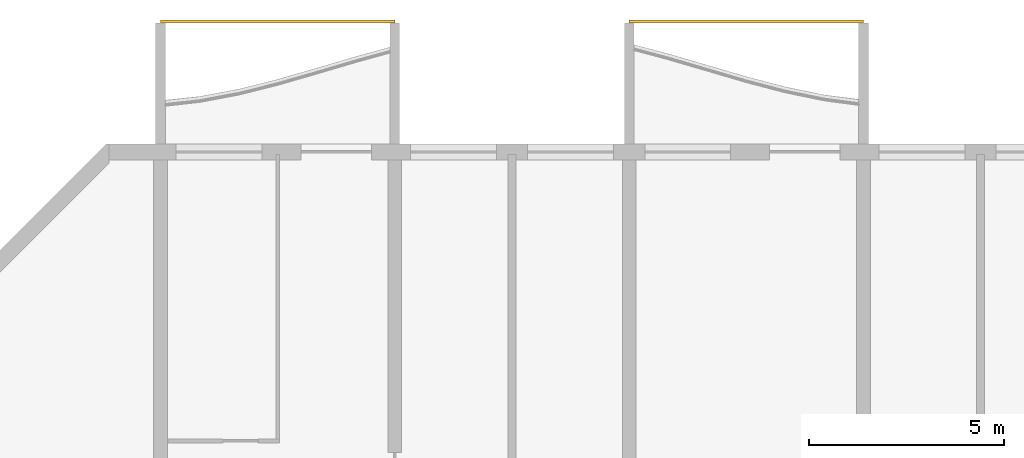
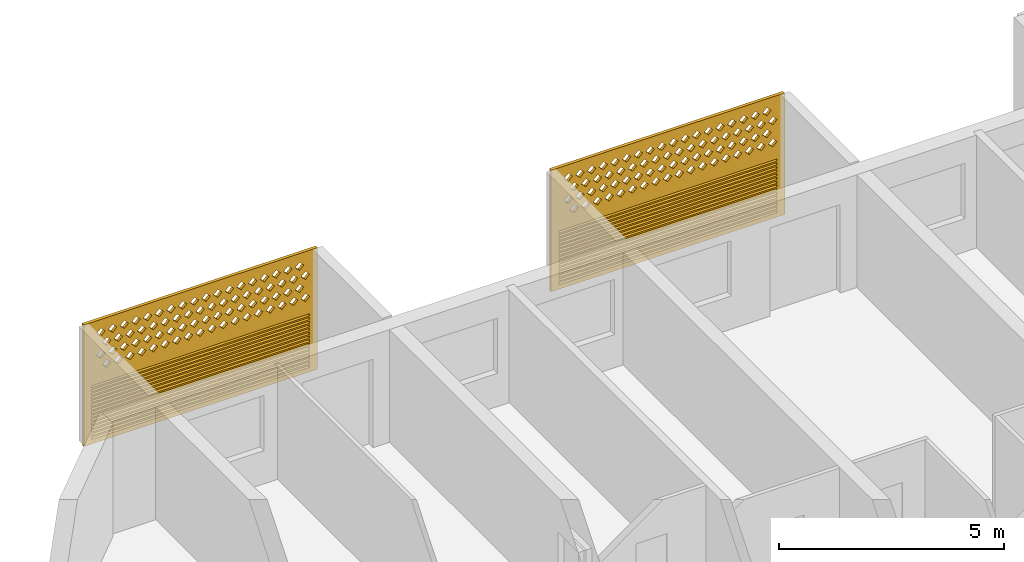
# One storey, part 19 of 27: 2 coverings.
"""IFC4 building model written with IfcOpenShell, lengths in metres."""

from ifc_helpers import new_model, si_unit, direction, frame, origin, place, context, subcontext, project, spatial, polyline, outline, extrude, source, transform, mapped, material, material_profile, profile_set, type_object, element, save


model = new_model("IFC4")

# Units and contexts
model_context = context("Model", 3, precision=1e-05, world=origin(), true_north=direction((0.0, 1.0)))
body_context = subcontext(model_context, "Body", "Model", "MODEL_VIEW")
ifc_project = project(units=[si_unit("LENGTHUNIT", "METRE"), si_unit("AREAUNIT", "SQUARE_METRE"), si_unit("VOLUMEUNIT", "CUBIC_METRE"), si_unit("PLANEANGLEUNIT", "RADIAN"), si_unit("MASSUNIT", "GRAM", prefix="KILO")], contexts=[model_context])

# Site, building, storey
site_placement = place(None, origin())
site = spatial("IfcSite", under=ifc_project, at=site_placement, CompositionType="ELEMENT")
building_placement = place(site_placement, origin())
building = spatial("IfcBuilding", under=site, at=building_placement, Name="Poui Terraces", CompositionType="ELEMENT")
storey_placement = place(building_placement, frame((0.0, 0.0, 92.699951171875)))
storey = spatial("IfcBuildingStorey", under=building, at=storey_placement, Name="L25", CompositionType="ELEMENT", Elevation=92.699951171875)

# Coverings
ifc_material = material(Name="Terracotta screen", Category="masonry")
ifc_material_profile = material_profile(ifc_material, outline(polyline([(-3.0, -1.64990234375), (3.0, -1.64990234375), (3.0, 1.64990234375), (-3.0, 1.64990234375), (-3.0, -1.64990234375)]), holes=[polyline([(-2.800048828125, 0.39990234375), (-2.68994140625, 0.2900390625), (-2.580078125, 0.39990234375), (-2.68994140625, 0.510009765625), (-2.800048828125, 0.39990234375)]), polyline([(-2.5, 0.39990234375), (-2.389892578125, 0.2900390625), (-2.280029296875, 0.39990234375), (-2.389892578125, 0.510009765625), (-2.5, 0.39990234375)]), polyline([(-2.199951171875, 0.39990234375), (-2.090087890625, 0.2900390625), (-1.97998046875, 0.39990234375), (-2.090087890625, 0.510009765625), (-2.199951171875, 0.39990234375)]), polyline([(-1.89990234375, 0.39990234375), (-1.7900390625, 0.2900390625), (-1.679931640625, 0.39990234375), (-1.7900390625, 0.510009765625), (-1.89990234375, 0.39990234375)]), polyline([(-1.60009765625, 0.39990234375), (-1.489990234375, 0.2900390625), (-1.3798828125, 0.39990234375), (-1.489990234375, 0.510009765625), (-1.60009765625, 0.39990234375)]), polyline([(-1.300048828125, 0.39990234375), (-1.18994140625, 0.2900390625), (-1.080078125, 0.39990234375), (-1.18994140625, 0.510009765625), (-1.300048828125, 0.39990234375)]), polyline([(-1.0, 0.39990234375), (-0.889892578125, 0.2900390625), (-0.780029296875, 0.39990234375), (-0.889892578125, 0.510009765625), (-1.0, 0.39990234375)]), polyline([(-0.699951171875, 0.39990234375), (-0.590087890625, 0.2900390625), (-0.47998046875, 0.39990234375), (-0.590087890625, 0.510009765625), (-0.699951171875, 0.39990234375)]), polyline([(-0.39990234375, 0.39990234375), (-0.2900390625, 0.2900390625), (-0.179931640625, 0.39990234375), (-0.2900390625, 0.510009765625), (-0.39990234375, 0.39990234375)]), polyline([(-0.10009765625, 0.39990234375), (0.010009765625, 0.2900390625), (0.1201171875, 0.39990234375), (0.010009765625, 0.510009765625), (-0.10009765625, 0.39990234375)]), polyline([(0.199951171875, 0.39990234375), (0.31005859375, 0.2900390625), (0.419921875, 0.39990234375), (0.31005859375, 0.510009765625), (0.199951171875, 0.39990234375)]), polyline([(0.5, 0.39990234375), (0.610107421875, 0.2900390625), (0.719970703125, 0.39990234375), (0.610107421875, 0.510009765625), (0.5, 0.39990234375)]), polyline([(0.800048828125, 0.39990234375), (0.909912109375, 0.2900390625), (1.02001953125, 0.39990234375), (0.909912109375, 0.510009765625), (0.800048828125, 0.39990234375)]), polyline([(1.10009765625, 0.39990234375), (1.2099609375, 0.2900390625), (1.320068359375, 0.39990234375), (1.2099609375, 0.510009765625), (1.10009765625, 0.39990234375)]), polyline([(1.39990234375, 0.39990234375), (1.510009765625, 0.2900390625), (1.6201171875, 0.39990234375), (1.510009765625, 0.510009765625), (1.39990234375, 0.39990234375)]), polyline([(1.699951171875, 0.39990234375), (1.81005859375, 0.2900390625), (1.919921875, 0.39990234375), (1.81005859375, 0.510009765625), (1.699951171875, 0.39990234375)]), polyline([(2.0, 0.39990234375), (2.110107421875, 0.2900390625), (2.219970703125, 0.39990234375), (2.110107421875, 0.510009765625), (2.0, 0.39990234375)]), polyline([(2.300048828125, 0.39990234375), (2.409912109375, 0.2900390625), (2.52001953125, 0.39990234375), (2.409912109375, 0.510009765625), (2.300048828125, 0.39990234375)]), polyline([(-2.64990234375, 0.699951171875), (-2.5400390625, 0.590087890625), (-2.429931640625, 0.699951171875), (-2.5400390625, 0.81005859375), (-2.64990234375, 0.699951171875)]), polyline([(-2.35009765625, 0.699951171875), (-2.239990234375, 0.590087890625), (-2.1298828125, 0.699951171875), (-2.239990234375, 0.81005859375), (-2.35009765625, 0.699951171875)]), polyline([(-2.050048828125, 0.699951171875), (-1.93994140625, 0.590087890625), (-1.830078125, 0.699951171875), (-1.93994140625, 0.81005859375), (-2.050048828125, 0.699951171875)]), polyline([(-1.75, 0.699951171875), (-1.639892578125, 0.590087890625), (-1.530029296875, 0.699951171875), (-1.639892578125, 0.81005859375), (-1.75, 0.699951171875)]), polyline([(-1.449951171875, 0.699951171875), (-1.340087890625, 0.590087890625), (-1.22998046875, 0.699951171875), (-1.340087890625, 0.81005859375), (-1.449951171875, 0.699951171875)]), polyline([(-1.14990234375, 0.699951171875), (-1.0400390625, 0.590087890625), (-0.929931640625, 0.699951171875), (-1.0400390625, 0.81005859375), (-1.14990234375, 0.699951171875)]), polyline([(-0.85009765625, 0.699951171875), (-0.739990234375, 0.590087890625), (-0.6298828125, 0.699951171875), (-0.739990234375, 0.81005859375), (-0.85009765625, 0.699951171875)]), polyline([(-0.550048828125, 0.699951171875), (-0.43994140625, 0.590087890625), (-0.330078125, 0.699951171875), (-0.43994140625, 0.81005859375), (-0.550048828125, 0.699951171875)]), polyline([(-0.25, 0.699951171875), (-0.139892578125, 0.590087890625), (-0.030029296875, 0.699951171875), (-0.139892578125, 0.81005859375), (-0.25, 0.699951171875)]), polyline([(0.050048828125, 0.699951171875), (0.159912109375, 0.590087890625), (0.27001953125, 0.699951171875), (0.159912109375, 0.81005859375), (0.050048828125, 0.699951171875)]), polyline([(0.35009765625, 0.699951171875), (0.4599609375, 0.590087890625), (0.570068359375, 0.699951171875), (0.4599609375, 0.81005859375), (0.35009765625, 0.699951171875)]), polyline([(0.64990234375, 0.699951171875), (0.760009765625, 0.590087890625), (0.8701171875, 0.699951171875), (0.760009765625, 0.81005859375), (0.64990234375, 0.699951171875)]), polyline([(0.949951171875, 0.699951171875), (1.06005859375, 0.590087890625), (1.169921875, 0.699951171875), (1.06005859375, 0.81005859375), (0.949951171875, 0.699951171875)]), polyline([(1.25, 0.699951171875), (1.360107421875, 0.590087890625), (1.469970703125, 0.699951171875), (1.360107421875, 0.81005859375), (1.25, 0.699951171875)]), polyline([(1.550048828125, 0.699951171875), (1.659912109375, 0.590087890625), (1.77001953125, 0.699951171875), (1.659912109375, 0.81005859375), (1.550048828125, 0.699951171875)]), polyline([(1.85009765625, 0.699951171875), (1.9599609375, 0.590087890625), (2.070068359375, 0.699951171875), (1.9599609375, 0.81005859375), (1.85009765625, 0.699951171875)]), polyline([(2.14990234375, 0.699951171875), (2.260009765625, 0.590087890625), (2.3701171875, 0.699951171875), (2.260009765625, 0.81005859375), (2.14990234375, 0.699951171875)]), polyline([(2.449951171875, 0.699951171875), (2.56005859375, 0.590087890625), (2.669921875, 0.699951171875), (2.56005859375, 0.81005859375), (2.449951171875, 0.699951171875)]), polyline([(-2.800048828125, 1.0), (-2.68994140625, 0.889892578125), (-2.580078125, 1.0), (-2.68994140625, 1.110107421875), (-2.800048828125, 1.0)]), polyline([(-2.5, 1.0), (-2.389892578125, 0.889892578125), (-2.280029296875, 1.0), (-2.389892578125, 1.110107421875), (-2.5, 1.0)]), polyline([(-2.199951171875, 1.0), (-2.090087890625, 0.889892578125), (-1.97998046875, 1.0), (-2.090087890625, 1.110107421875), (-2.199951171875, 1.0)]), polyline([(-1.89990234375, 1.0), (-1.7900390625, 0.889892578125), (-1.679931640625, 1.0), (-1.7900390625, 1.110107421875), (-1.89990234375, 1.0)]), polyline([(-1.60009765625, 1.0), (-1.489990234375, 0.889892578125), (-1.3798828125, 1.0), (-1.489990234375, 1.110107421875), (-1.60009765625, 1.0)]), polyline([(-1.300048828125, 1.0), (-1.18994140625, 0.889892578125), (-1.080078125, 1.0), (-1.18994140625, 1.110107421875), (-1.300048828125, 1.0)]), polyline([(-1.0, 1.0), (-0.889892578125, 0.889892578125), (-0.780029296875, 1.0), (-0.889892578125, 1.110107421875), (-1.0, 1.0)]), polyline([(-0.699951171875, 1.0), (-0.590087890625, 0.889892578125), (-0.47998046875, 1.0), (-0.590087890625, 1.110107421875), (-0.699951171875, 1.0)]), polyline([(-0.39990234375, 1.0), (-0.2900390625, 0.889892578125), (-0.179931640625, 1.0), (-0.2900390625, 1.110107421875), (-0.39990234375, 1.0)]), polyline([(-0.10009765625, 1.0), (0.010009765625, 0.889892578125), (0.1201171875, 1.0), (0.010009765625, 1.110107421875), (-0.10009765625, 1.0)]), polyline([(0.199951171875, 1.0), (0.31005859375, 0.889892578125), (0.419921875, 1.0), (0.31005859375, 1.110107421875), (0.199951171875, 1.0)]), polyline([(0.5, 1.0), (0.610107421875, 0.889892578125), (0.719970703125, 1.0), (0.610107421875, 1.110107421875), (0.5, 1.0)]), polyline([(0.800048828125, 1.0), (0.909912109375, 0.889892578125), (1.02001953125, 1.0), (0.909912109375, 1.110107421875), (0.800048828125, 1.0)]), polyline([(1.10009765625, 1.0), (1.2099609375, 0.889892578125), (1.320068359375, 1.0), (1.2099609375, 1.110107421875), (1.10009765625, 1.0)]), polyline([(1.39990234375, 1.0), (1.510009765625, 0.889892578125), (1.6201171875, 1.0), (1.510009765625, 1.110107421875), (1.39990234375, 1.0)]), polyline([(1.699951171875, 1.0), (1.81005859375, 0.889892578125), (1.919921875, 1.0), (1.81005859375, 1.110107421875), (1.699951171875, 1.0)]), polyline([(2.0, 1.0), (2.110107421875, 0.889892578125), (2.219970703125, 1.0), (2.110107421875, 1.110107421875), (2.0, 1.0)]), polyline([(2.300048828125, 1.0), (2.409912109375, 0.889892578125), (2.52001953125, 1.0), (2.409912109375, 1.110107421875), (2.300048828125, 1.0)]), polyline([(-2.64990234375, 1.300048828125), (-2.5400390625, 1.18994140625), (-2.429931640625, 1.300048828125), (-2.5400390625, 1.409912109375), (-2.64990234375, 1.300048828125)]), polyline([(-2.35009765625, 1.300048828125), (-2.239990234375, 1.18994140625), (-2.1298828125, 1.300048828125), (-2.239990234375, 1.409912109375), (-2.35009765625, 1.300048828125)]), polyline([(-2.050048828125, 1.300048828125), (-1.93994140625, 1.18994140625), (-1.830078125, 1.300048828125), (-1.93994140625, 1.409912109375), (-2.050048828125, 1.300048828125)]), polyline([(-1.75, 1.300048828125), (-1.639892578125, 1.18994140625), (-1.530029296875, 1.300048828125), (-1.639892578125, 1.409912109375), (-1.75, 1.300048828125)]), polyline([(-1.449951171875, 1.300048828125), (-1.340087890625, 1.18994140625), (-1.22998046875, 1.300048828125), (-1.340087890625, 1.409912109375), (-1.449951171875, 1.300048828125)]), polyline([(-1.14990234375, 1.300048828125), (-1.0400390625, 1.18994140625), (-0.929931640625, 1.300048828125), (-1.0400390625, 1.409912109375), (-1.14990234375, 1.300048828125)]), polyline([(-0.85009765625, 1.300048828125), (-0.739990234375, 1.18994140625), (-0.6298828125, 1.300048828125), (-0.739990234375, 1.409912109375), (-0.85009765625, 1.300048828125)]), polyline([(-0.550048828125, 1.300048828125), (-0.43994140625, 1.18994140625), (-0.330078125, 1.300048828125), (-0.43994140625, 1.409912109375), (-0.550048828125, 1.300048828125)]), polyline([(-0.25, 1.300048828125), (-0.139892578125, 1.18994140625), (-0.030029296875, 1.300048828125), (-0.139892578125, 1.409912109375), (-0.25, 1.300048828125)]), polyline([(0.050048828125, 1.300048828125), (0.159912109375, 1.18994140625), (0.27001953125, 1.300048828125), (0.159912109375, 1.409912109375), (0.050048828125, 1.300048828125)]), polyline([(0.35009765625, 1.300048828125), (0.4599609375, 1.18994140625), (0.570068359375, 1.300048828125), (0.4599609375, 1.409912109375), (0.35009765625, 1.300048828125)]), polyline([(0.64990234375, 1.300048828125), (0.760009765625, 1.18994140625), (0.8701171875, 1.300048828125), (0.760009765625, 1.409912109375), (0.64990234375, 1.300048828125)]), polyline([(0.949951171875, 1.300048828125), (1.06005859375, 1.18994140625), (1.169921875, 1.300048828125), (1.06005859375, 1.409912109375), (0.949951171875, 1.300048828125)]), polyline([(1.25, 1.300048828125), (1.360107421875, 1.18994140625), (1.469970703125, 1.300048828125), (1.360107421875, 1.409912109375), (1.25, 1.300048828125)]), polyline([(1.550048828125, 1.300048828125), (1.659912109375, 1.18994140625), (1.77001953125, 1.300048828125), (1.659912109375, 1.409912109375), (1.550048828125, 1.300048828125)]), polyline([(1.85009765625, 1.300048828125), (1.9599609375, 1.18994140625), (2.070068359375, 1.300048828125), (1.9599609375, 1.409912109375), (1.85009765625, 1.300048828125)]), polyline([(2.14990234375, 1.300048828125), (2.260009765625, 1.18994140625), (2.3701171875, 1.300048828125), (2.260009765625, 1.409912109375), (2.14990234375, 1.300048828125)]), polyline([(2.449951171875, 1.300048828125), (2.56005859375, 1.18994140625), (2.669921875, 1.300048828125), (2.56005859375, 1.409912109375), (2.449951171875, 1.300048828125)]), polyline([(-2.800048828125, -1.530029296875), (2.800048828125, -1.530029296875), (2.800048828125, -1.469970703125), (-2.800048828125, -1.469970703125), (-2.800048828125, -1.530029296875)]), polyline([(-2.800048828125, -1.429931640625), (2.800048828125, -1.429931640625), (2.800048828125, -1.3701171875), (-2.800048828125, -1.3701171875), (-2.800048828125, -1.429931640625)]), polyline([(-2.800048828125, -1.330078125), (2.800048828125, -1.330078125), (2.800048828125, -1.27001953125), (-2.800048828125, -1.27001953125), (-2.800048828125, -1.330078125)]), polyline([(-2.800048828125, -1.22998046875), (2.800048828125, -1.22998046875), (2.800048828125, -1.169921875), (-2.800048828125, -1.169921875), (-2.800048828125, -1.22998046875)]), polyline([(-2.800048828125, -1.1298828125), (2.800048828125, -1.1298828125), (2.800048828125, -1.070068359375), (-2.800048828125, -1.070068359375), (-2.800048828125, -1.1298828125)]), polyline([(-2.800048828125, -1.030029296875), (2.800048828125, -1.030029296875), (2.800048828125, -0.969970703125), (-2.800048828125, -0.969970703125), (-2.800048828125, -1.030029296875)]), polyline([(-2.800048828125, -0.929931640625), (2.800048828125, -0.929931640625), (2.800048828125, -0.8701171875), (-2.800048828125, -0.8701171875), (-2.800048828125, -0.929931640625)]), polyline([(-2.800048828125, -0.830078125), (2.800048828125, -0.830078125), (2.800048828125, -0.77001953125), (-2.800048828125, -0.77001953125), (-2.800048828125, -0.830078125)]), polyline([(-2.800048828125, -0.72998046875), (2.800048828125, -0.72998046875), (2.800048828125, -0.669921875), (-2.800048828125, -0.669921875), (-2.800048828125, -0.72998046875)]), polyline([(-2.800048828125, -0.6298828125), (2.800048828125, -0.6298828125), (2.800048828125, -0.570068359375), (-2.800048828125, -0.570068359375), (-2.800048828125, -0.6298828125)]), polyline([(-2.800048828125, -0.530029296875), (2.800048828125, -0.530029296875), (2.800048828125, -0.469970703125), (-2.800048828125, -0.469970703125), (-2.800048828125, -0.530029296875)]), polyline([(-2.800048828125, -0.429931640625), (2.800048828125, -0.429931640625), (2.800048828125, -0.3701171875), (-2.800048828125, -0.3701171875), (-2.800048828125, -0.429931640625)]), polyline([(-2.800048828125, -0.330078125), (2.800048828125, -0.330078125), (2.800048828125, -0.27001953125), (-2.800048828125, -0.27001953125), (-2.800048828125, -0.330078125)]), polyline([(-2.800048828125, -0.22998046875), (2.800048828125, -0.22998046875), (2.800048828125, -0.169921875), (-2.800048828125, -0.169921875), (-2.800048828125, -0.22998046875)]), polyline([(-2.800048828125, -0.1298828125), (2.800048828125, -0.1298828125), (2.800048828125, -0.070068359375), (-2.800048828125, -0.070068359375), (-2.800048828125, -0.1298828125)])]), Name="TERRACOTTA SCREEN AND JALOUSIE LOUVRE 6000X3300")
ifc_profile_set = profile_set([ifc_material_profile], Name="Terracotta screen")
covering_type = type_object("IfcCoveringType", Name="TERRACOTTA SCREEN AND JALOUSIE LOUVRE 6000X3300", PredefinedType="CLADDING", material=ifc_profile_set)
shared_shape = source(origin(), body_context, "Body", "SweptSolid", [
    extrude(outline(polyline([(-3.0, -1.64990234375), (3.0, -1.64990234375), (3.0, 1.64990234375), (-3.0, 1.64990234375), (-3.0, -1.64990234375)]), holes=[polyline([(-2.800048828125, 0.39990234375), (-2.68994140625, 0.2900390625), (-2.580078125, 0.39990234375), (-2.68994140625, 0.510009765625), (-2.800048828125, 0.39990234375)]), polyline([(-2.5, 0.39990234375), (-2.389892578125, 0.2900390625), (-2.280029296875, 0.39990234375), (-2.389892578125, 0.510009765625), (-2.5, 0.39990234375)]), polyline([(-2.199951171875, 0.39990234375), (-2.090087890625, 0.2900390625), (-1.97998046875, 0.39990234375), (-2.090087890625, 0.510009765625), (-2.199951171875, 0.39990234375)]), polyline([(-1.89990234375, 0.39990234375), (-1.7900390625, 0.2900390625), (-1.679931640625, 0.39990234375), (-1.7900390625, 0.510009765625), (-1.89990234375, 0.39990234375)]), polyline([(-1.60009765625, 0.39990234375), (-1.489990234375, 0.2900390625), (-1.3798828125, 0.39990234375), (-1.489990234375, 0.510009765625), (-1.60009765625, 0.39990234375)]), polyline([(-1.300048828125, 0.39990234375), (-1.18994140625, 0.2900390625), (-1.080078125, 0.39990234375), (-1.18994140625, 0.510009765625), (-1.300048828125, 0.39990234375)]), polyline([(-1.0, 0.39990234375), (-0.889892578125, 0.2900390625), (-0.780029296875, 0.39990234375), (-0.889892578125, 0.510009765625), (-1.0, 0.39990234375)]), polyline([(-0.699951171875, 0.39990234375), (-0.590087890625, 0.2900390625), (-0.47998046875, 0.39990234375), (-0.590087890625, 0.510009765625), (-0.699951171875, 0.39990234375)]), polyline([(-0.39990234375, 0.39990234375), (-0.2900390625, 0.2900390625), (-0.179931640625, 0.39990234375), (-0.2900390625, 0.510009765625), (-0.39990234375, 0.39990234375)]), polyline([(-0.10009765625, 0.39990234375), (0.010009765625, 0.2900390625), (0.1201171875, 0.39990234375), (0.010009765625, 0.510009765625), (-0.10009765625, 0.39990234375)]), polyline([(0.199951171875, 0.39990234375), (0.31005859375, 0.2900390625), (0.419921875, 0.39990234375), (0.31005859375, 0.510009765625), (0.199951171875, 0.39990234375)]), polyline([(0.5, 0.39990234375), (0.610107421875, 0.2900390625), (0.719970703125, 0.39990234375), (0.610107421875, 0.510009765625), (0.5, 0.39990234375)]), polyline([(0.800048828125, 0.39990234375), (0.909912109375, 0.2900390625), (1.02001953125, 0.39990234375), (0.909912109375, 0.510009765625), (0.800048828125, 0.39990234375)]), polyline([(1.10009765625, 0.39990234375), (1.2099609375, 0.2900390625), (1.320068359375, 0.39990234375), (1.2099609375, 0.510009765625), (1.10009765625, 0.39990234375)]), polyline([(1.39990234375, 0.39990234375), (1.510009765625, 0.2900390625), (1.6201171875, 0.39990234375), (1.510009765625, 0.510009765625), (1.39990234375, 0.39990234375)]), polyline([(1.699951171875, 0.39990234375), (1.81005859375, 0.2900390625), (1.919921875, 0.39990234375), (1.81005859375, 0.510009765625), (1.699951171875, 0.39990234375)]), polyline([(2.0, 0.39990234375), (2.110107421875, 0.2900390625), (2.219970703125, 0.39990234375), (2.110107421875, 0.510009765625), (2.0, 0.39990234375)]), polyline([(2.300048828125, 0.39990234375), (2.409912109375, 0.2900390625), (2.52001953125, 0.39990234375), (2.409912109375, 0.510009765625), (2.300048828125, 0.39990234375)]), polyline([(-2.64990234375, 0.699951171875), (-2.5400390625, 0.590087890625), (-2.429931640625, 0.699951171875), (-2.5400390625, 0.81005859375), (-2.64990234375, 0.699951171875)]), polyline([(-2.35009765625, 0.699951171875), (-2.239990234375, 0.590087890625), (-2.1298828125, 0.699951171875), (-2.239990234375, 0.81005859375), (-2.35009765625, 0.699951171875)]), polyline([(-2.050048828125, 0.699951171875), (-1.93994140625, 0.590087890625), (-1.830078125, 0.699951171875), (-1.93994140625, 0.81005859375), (-2.050048828125, 0.699951171875)]), polyline([(-1.75, 0.699951171875), (-1.639892578125, 0.590087890625), (-1.530029296875, 0.699951171875), (-1.639892578125, 0.81005859375), (-1.75, 0.699951171875)]), polyline([(-1.449951171875, 0.699951171875), (-1.340087890625, 0.590087890625), (-1.22998046875, 0.699951171875), (-1.340087890625, 0.81005859375), (-1.449951171875, 0.699951171875)]), polyline([(-1.14990234375, 0.699951171875), (-1.0400390625, 0.590087890625), (-0.929931640625, 0.699951171875), (-1.0400390625, 0.81005859375), (-1.14990234375, 0.699951171875)]), polyline([(-0.85009765625, 0.699951171875), (-0.739990234375, 0.590087890625), (-0.6298828125, 0.699951171875), (-0.739990234375, 0.81005859375), (-0.85009765625, 0.699951171875)]), polyline([(-0.550048828125, 0.699951171875), (-0.43994140625, 0.590087890625), (-0.330078125, 0.699951171875), (-0.43994140625, 0.81005859375), (-0.550048828125, 0.699951171875)]), polyline([(-0.25, 0.699951171875), (-0.139892578125, 0.590087890625), (-0.030029296875, 0.699951171875), (-0.139892578125, 0.81005859375), (-0.25, 0.699951171875)]), polyline([(0.050048828125, 0.699951171875), (0.159912109375, 0.590087890625), (0.27001953125, 0.699951171875), (0.159912109375, 0.81005859375), (0.050048828125, 0.699951171875)]), polyline([(0.35009765625, 0.699951171875), (0.4599609375, 0.590087890625), (0.570068359375, 0.699951171875), (0.4599609375, 0.81005859375), (0.35009765625, 0.699951171875)]), polyline([(0.64990234375, 0.699951171875), (0.760009765625, 0.590087890625), (0.8701171875, 0.699951171875), (0.760009765625, 0.81005859375), (0.64990234375, 0.699951171875)]), polyline([(0.949951171875, 0.699951171875), (1.06005859375, 0.590087890625), (1.169921875, 0.699951171875), (1.06005859375, 0.81005859375), (0.949951171875, 0.699951171875)]), polyline([(1.25, 0.699951171875), (1.360107421875, 0.590087890625), (1.469970703125, 0.699951171875), (1.360107421875, 0.81005859375), (1.25, 0.699951171875)]), polyline([(1.550048828125, 0.699951171875), (1.659912109375, 0.590087890625), (1.77001953125, 0.699951171875), (1.659912109375, 0.81005859375), (1.550048828125, 0.699951171875)]), polyline([(1.85009765625, 0.699951171875), (1.9599609375, 0.590087890625), (2.070068359375, 0.699951171875), (1.9599609375, 0.81005859375), (1.85009765625, 0.699951171875)]), polyline([(2.14990234375, 0.699951171875), (2.260009765625, 0.590087890625), (2.3701171875, 0.699951171875), (2.260009765625, 0.81005859375), (2.14990234375, 0.699951171875)]), polyline([(2.449951171875, 0.699951171875), (2.56005859375, 0.590087890625), (2.669921875, 0.699951171875), (2.56005859375, 0.81005859375), (2.449951171875, 0.699951171875)]), polyline([(-2.800048828125, 1.0), (-2.68994140625, 0.889892578125), (-2.580078125, 1.0), (-2.68994140625, 1.110107421875), (-2.800048828125, 1.0)]), polyline([(-2.5, 1.0), (-2.389892578125, 0.889892578125), (-2.280029296875, 1.0), (-2.389892578125, 1.110107421875), (-2.5, 1.0)]), polyline([(-2.199951171875, 1.0), (-2.090087890625, 0.889892578125), (-1.97998046875, 1.0), (-2.090087890625, 1.110107421875), (-2.199951171875, 1.0)]), polyline([(-1.89990234375, 1.0), (-1.7900390625, 0.889892578125), (-1.679931640625, 1.0), (-1.7900390625, 1.110107421875), (-1.89990234375, 1.0)]), polyline([(-1.60009765625, 1.0), (-1.489990234375, 0.889892578125), (-1.3798828125, 1.0), (-1.489990234375, 1.110107421875), (-1.60009765625, 1.0)]), polyline([(-1.300048828125, 1.0), (-1.18994140625, 0.889892578125), (-1.080078125, 1.0), (-1.18994140625, 1.110107421875), (-1.300048828125, 1.0)]), polyline([(-1.0, 1.0), (-0.889892578125, 0.889892578125), (-0.780029296875, 1.0), (-0.889892578125, 1.110107421875), (-1.0, 1.0)]), polyline([(-0.699951171875, 1.0), (-0.590087890625, 0.889892578125), (-0.47998046875, 1.0), (-0.590087890625, 1.110107421875), (-0.699951171875, 1.0)]), polyline([(-0.39990234375, 1.0), (-0.2900390625, 0.889892578125), (-0.179931640625, 1.0), (-0.2900390625, 1.110107421875), (-0.39990234375, 1.0)]), polyline([(-0.10009765625, 1.0), (0.010009765625, 0.889892578125), (0.1201171875, 1.0), (0.010009765625, 1.110107421875), (-0.10009765625, 1.0)]), polyline([(0.199951171875, 1.0), (0.31005859375, 0.889892578125), (0.419921875, 1.0), (0.31005859375, 1.110107421875), (0.199951171875, 1.0)]), polyline([(0.5, 1.0), (0.610107421875, 0.889892578125), (0.719970703125, 1.0), (0.610107421875, 1.110107421875), (0.5, 1.0)]), polyline([(0.800048828125, 1.0), (0.909912109375, 0.889892578125), (1.02001953125, 1.0), (0.909912109375, 1.110107421875), (0.800048828125, 1.0)]), polyline([(1.10009765625, 1.0), (1.2099609375, 0.889892578125), (1.320068359375, 1.0), (1.2099609375, 1.110107421875), (1.10009765625, 1.0)]), polyline([(1.39990234375, 1.0), (1.510009765625, 0.889892578125), (1.6201171875, 1.0), (1.510009765625, 1.110107421875), (1.39990234375, 1.0)]), polyline([(1.699951171875, 1.0), (1.81005859375, 0.889892578125), (1.919921875, 1.0), (1.81005859375, 1.110107421875), (1.699951171875, 1.0)]), polyline([(2.0, 1.0), (2.110107421875, 0.889892578125), (2.219970703125, 1.0), (2.110107421875, 1.110107421875), (2.0, 1.0)]), polyline([(2.300048828125, 1.0), (2.409912109375, 0.889892578125), (2.52001953125, 1.0), (2.409912109375, 1.110107421875), (2.300048828125, 1.0)]), polyline([(-2.64990234375, 1.300048828125), (-2.5400390625, 1.18994140625), (-2.429931640625, 1.300048828125), (-2.5400390625, 1.409912109375), (-2.64990234375, 1.300048828125)]), polyline([(-2.35009765625, 1.300048828125), (-2.239990234375, 1.18994140625), (-2.1298828125, 1.300048828125), (-2.239990234375, 1.409912109375), (-2.35009765625, 1.300048828125)]), polyline([(-2.050048828125, 1.300048828125), (-1.93994140625, 1.18994140625), (-1.830078125, 1.300048828125), (-1.93994140625, 1.409912109375), (-2.050048828125, 1.300048828125)]), polyline([(-1.75, 1.300048828125), (-1.639892578125, 1.18994140625), (-1.530029296875, 1.300048828125), (-1.639892578125, 1.409912109375), (-1.75, 1.300048828125)]), polyline([(-1.449951171875, 1.300048828125), (-1.340087890625, 1.18994140625), (-1.22998046875, 1.300048828125), (-1.340087890625, 1.409912109375), (-1.449951171875, 1.300048828125)]), polyline([(-1.14990234375, 1.300048828125), (-1.0400390625, 1.18994140625), (-0.929931640625, 1.300048828125), (-1.0400390625, 1.409912109375), (-1.14990234375, 1.300048828125)]), polyline([(-0.85009765625, 1.300048828125), (-0.739990234375, 1.18994140625), (-0.6298828125, 1.300048828125), (-0.739990234375, 1.409912109375), (-0.85009765625, 1.300048828125)]), polyline([(-0.550048828125, 1.300048828125), (-0.43994140625, 1.18994140625), (-0.330078125, 1.300048828125), (-0.43994140625, 1.409912109375), (-0.550048828125, 1.300048828125)]), polyline([(-0.25, 1.300048828125), (-0.139892578125, 1.18994140625), (-0.030029296875, 1.300048828125), (-0.139892578125, 1.409912109375), (-0.25, 1.300048828125)]), polyline([(0.050048828125, 1.300048828125), (0.159912109375, 1.18994140625), (0.27001953125, 1.300048828125), (0.159912109375, 1.409912109375), (0.050048828125, 1.300048828125)]), polyline([(0.35009765625, 1.300048828125), (0.4599609375, 1.18994140625), (0.570068359375, 1.300048828125), (0.4599609375, 1.409912109375), (0.35009765625, 1.300048828125)]), polyline([(0.64990234375, 1.300048828125), (0.760009765625, 1.18994140625), (0.8701171875, 1.300048828125), (0.760009765625, 1.409912109375), (0.64990234375, 1.300048828125)]), polyline([(0.949951171875, 1.300048828125), (1.06005859375, 1.18994140625), (1.169921875, 1.300048828125), (1.06005859375, 1.409912109375), (0.949951171875, 1.300048828125)]), polyline([(1.25, 1.300048828125), (1.360107421875, 1.18994140625), (1.469970703125, 1.300048828125), (1.360107421875, 1.409912109375), (1.25, 1.300048828125)]), polyline([(1.550048828125, 1.300048828125), (1.659912109375, 1.18994140625), (1.77001953125, 1.300048828125), (1.659912109375, 1.409912109375), (1.550048828125, 1.300048828125)]), polyline([(1.85009765625, 1.300048828125), (1.9599609375, 1.18994140625), (2.070068359375, 1.300048828125), (1.9599609375, 1.409912109375), (1.85009765625, 1.300048828125)]), polyline([(2.14990234375, 1.300048828125), (2.260009765625, 1.18994140625), (2.3701171875, 1.300048828125), (2.260009765625, 1.409912109375), (2.14990234375, 1.300048828125)]), polyline([(2.449951171875, 1.300048828125), (2.56005859375, 1.18994140625), (2.669921875, 1.300048828125), (2.56005859375, 1.409912109375), (2.449951171875, 1.300048828125)]), polyline([(-2.800048828125, -1.530029296875), (2.800048828125, -1.530029296875), (2.800048828125, -1.469970703125), (-2.800048828125, -1.469970703125), (-2.800048828125, -1.530029296875)]), polyline([(-2.800048828125, -1.429931640625), (2.800048828125, -1.429931640625), (2.800048828125, -1.3701171875), (-2.800048828125, -1.3701171875), (-2.800048828125, -1.429931640625)]), polyline([(-2.800048828125, -1.330078125), (2.800048828125, -1.330078125), (2.800048828125, -1.27001953125), (-2.800048828125, -1.27001953125), (-2.800048828125, -1.330078125)]), polyline([(-2.800048828125, -1.22998046875), (2.800048828125, -1.22998046875), (2.800048828125, -1.169921875), (-2.800048828125, -1.169921875), (-2.800048828125, -1.22998046875)]), polyline([(-2.800048828125, -1.1298828125), (2.800048828125, -1.1298828125), (2.800048828125, -1.070068359375), (-2.800048828125, -1.070068359375), (-2.800048828125, -1.1298828125)]), polyline([(-2.800048828125, -1.030029296875), (2.800048828125, -1.030029296875), (2.800048828125, -0.969970703125), (-2.800048828125, -0.969970703125), (-2.800048828125, -1.030029296875)]), polyline([(-2.800048828125, -0.929931640625), (2.800048828125, -0.929931640625), (2.800048828125, -0.8701171875), (-2.800048828125, -0.8701171875), (-2.800048828125, -0.929931640625)]), polyline([(-2.800048828125, -0.830078125), (2.800048828125, -0.830078125), (2.800048828125, -0.77001953125), (-2.800048828125, -0.77001953125), (-2.800048828125, -0.830078125)]), polyline([(-2.800048828125, -0.72998046875), (2.800048828125, -0.72998046875), (2.800048828125, -0.669921875), (-2.800048828125, -0.669921875), (-2.800048828125, -0.72998046875)]), polyline([(-2.800048828125, -0.6298828125), (2.800048828125, -0.6298828125), (2.800048828125, -0.570068359375), (-2.800048828125, -0.570068359375), (-2.800048828125, -0.6298828125)]), polyline([(-2.800048828125, -0.530029296875), (2.800048828125, -0.530029296875), (2.800048828125, -0.469970703125), (-2.800048828125, -0.469970703125), (-2.800048828125, -0.530029296875)]), polyline([(-2.800048828125, -0.429931640625), (2.800048828125, -0.429931640625), (2.800048828125, -0.3701171875), (-2.800048828125, -0.3701171875), (-2.800048828125, -0.429931640625)]), polyline([(-2.800048828125, -0.330078125), (2.800048828125, -0.330078125), (2.800048828125, -0.27001953125), (-2.800048828125, -0.27001953125), (-2.800048828125, -0.330078125)]), polyline([(-2.800048828125, -0.22998046875), (2.800048828125, -0.22998046875), (2.800048828125, -0.169921875), (-2.800048828125, -0.169921875), (-2.800048828125, -0.22998046875)]), polyline([(-2.800048828125, -0.1298828125), (2.800048828125, -0.1298828125), (2.800048828125, -0.070068359375), (-2.800048828125, -0.070068359375), (-2.800048828125, -0.1298828125)])]), origin(), (0.0, 0.0, 1.0), 0.080078125),
])
for number, where, z_axis, x_axis, name in (
    (1, (15.0, 46.89990234375, 1.449951171875), (0.0, 1.0, 0.0), (-1.0, 0.0, 0.0), "SOLAR SCREEN AND JALOUSIE LOUVRE"),
    (2, (27.0, 46.89990234375, 1.449951171875), (0.0, 1.0, 0.0), (-1.0, 0.0, 0.0), "SOLAR SCREEN AND JALOUSIE LOUVRE"),
):
    element("IfcCovering", number, at=place(storey_placement, frame(where, z_axis=z_axis, x_axis=x_axis)), inside=storey, type_object=covering_type, Name=name, PredefinedType="CLADDING", context=body_context, shape_type="MappedRepresentation", body=[
        mapped(shared_shape, transform((0.0, 0.0, 0.0))),
    ])

save(model, "model.ifc")
